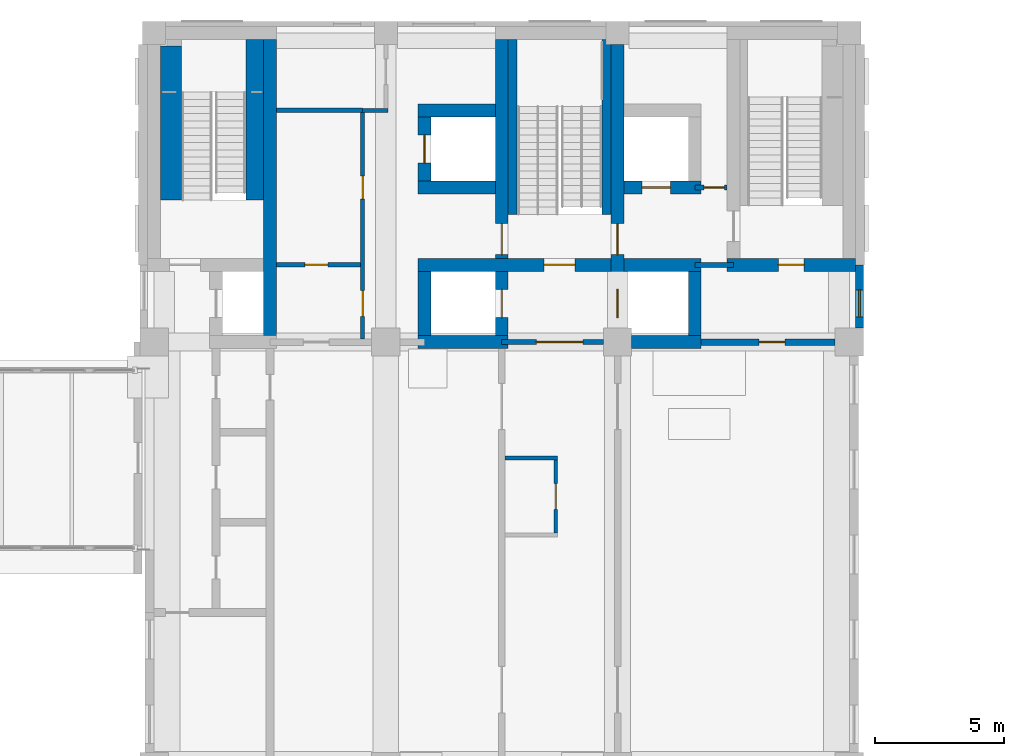
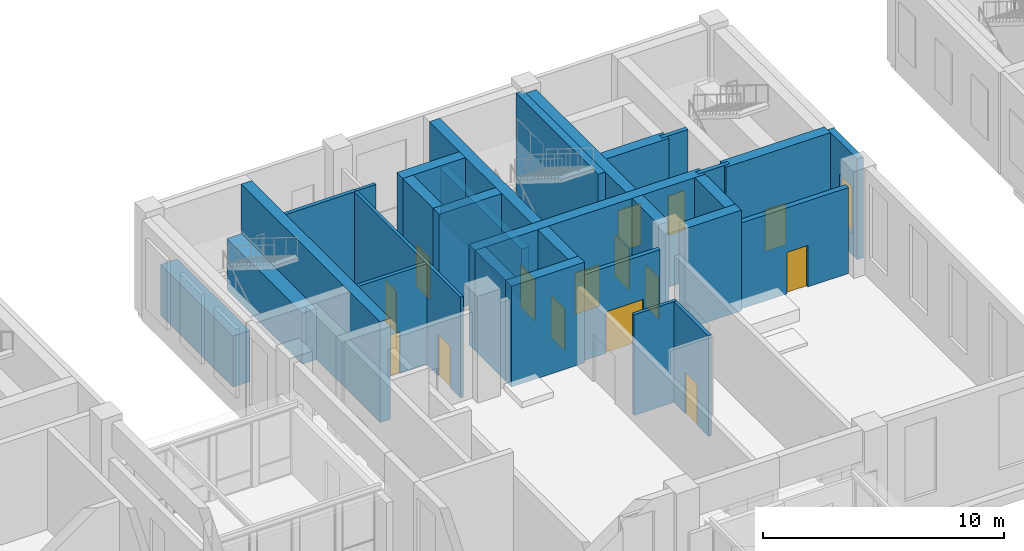
# One storey, part 34 of 52: 28 walls, 15 doors, 1 window, 16 openings.
"""IFC4 building model written with IfcOpenShell, lengths in metres."""

from ifc_helpers import new_model, si_unit, direction, frame, frame_2d, origin, place, context, subcontext, project, spatial, rectangle, extrude, material, layer, layer_set, type_object, element, fill, save


model = new_model("IFC4")

# Units and contexts
model_context = context("Model", 3, precision=1e-05, world=origin(), true_north=direction((0.0, 1.0)))
body_context = subcontext(model_context, "Body", "Model", "MODEL_VIEW")
ifc_project = project(units=[si_unit("LENGTHUNIT", "METRE"), si_unit("AREAUNIT", "SQUARE_METRE"), si_unit("VOLUMEUNIT", "CUBIC_METRE"), si_unit("PLANEANGLEUNIT", "RADIAN"), si_unit("MASSUNIT", "GRAM", prefix="KILO")], contexts=[model_context])

# Site, building, storey
site_placement = place(None, origin())
site = spatial("IfcSite", under=ifc_project, at=site_placement, CompositionType="ELEMENT")
building_placement = place(site_placement, origin())
building = spatial("IfcBuilding", under=site, at=building_placement, Name="Aurelan Courthouse", CompositionType="ELEMENT")
storey_placement = place(building_placement, frame((0.0, 0.0, 6.60009765625)))
storey = spatial("IfcBuildingStorey", under=building, at=storey_placement, Name="L01", CompositionType="ELEMENT", Elevation=6.60009765625)

# Wall, opening, door
ifc_material_1 = material(Name="Gypsum board on metal studs")
ifc_layer_1 = layer(ifc_material_1, 0.175048828125)
ifc_layer_set_1 = layer_set([ifc_layer_1], Name="Gypsum board on metal studs")
wall_type_1 = type_object("IfcWallType", Name="Chambers acoustic partition 175 NOT RATED", PredefinedType="PARTITIONING", material=ifc_layer_set_1)
wall_1_placement = place(storey_placement, frame((40.75, 57.0, 0.0), z_axis=(0.0, 0.0, 1.0), x_axis=(1.0, 0.0, 0.0)))
wall_1 = element("IfcWall", 1, at=wall_1_placement, inside=storey, type_object=wall_type_1, Name="Chambers acoustic partition L01-058", PredefinedType="PARTITIONING", context=body_context, shape_type="SweptSolid", body=[
    extrude(rectangle(XDim=3.27490234375, YDim=0.175048828125, at=frame_2d((1.637451171875, 0.0))), origin(), (0.0, 0.0, 1.0), 5.099853515625),
])
opening_1_placement = place(wall_1_placement, frame((2.0, 0.0, 0.0), z_axis=(0.0, 0.0, 1.0), x_axis=(-1.0, 0.0, 0.0)))
opening_1 = element("IfcOpeningElement", 2, at=opening_1_placement, cuts=wall_1, Name="Opening D-L01-033", PredefinedType="OPENING", context=body_context, shape_type="SweptSolid", body=[
    extrude(rectangle(XDim=0.89990234375, YDim=2.10009765625, at=frame_2d((0.449951171875, 1.050048828125))), frame((0.0, 0.097412109375, 0.0), z_axis=(0.0, -1.0, 0.0), x_axis=(1.0, 0.0, 0.0)), (0.0, 0.0, 1.0), 0.195068359375),
])
ifc_material_2 = material(Name="Timber", Category="wood")
door_type_1 = type_object("IfcDoorType", Name="Single door 900 x 2100 NOT RATED", OperationType="SINGLE_SWING_LEFT", PredefinedType="DOOR", material=ifc_material_2)
door_1_placement = place(opening_1_placement, origin())
door_1 = element("IfcDoor", 3, at=door_1_placement, inside=storey, type_object=door_type_1, Name="Single door D-L01-033", OperationType="SINGLE_SWING_LEFT", OverallHeight=2.10009765625, OverallWidth=0.89990234375, PredefinedType="DOOR", context=body_context, shape_type="SweptSolid", body=[
    extrude(rectangle(XDim=0.89990234375, YDim=2.10009765625, at=frame_2d((0.449951171875, 1.050048828125))), frame((0.0, 0.02490234375, 0.0), z_axis=(0.0, -1.0, 0.0), x_axis=(1.0, 0.0, 0.0)), (0.0, 0.0, 1.0), 0.050048828125),
])
fill(opening_1, door_1)

# Walls
wall_2_placement = place(storey_placement, frame((40.75, 63.0, 0.0), z_axis=(0.0, 0.0, 1.0), x_axis=(1.0, 0.0, 0.0)))
element("IfcWall", 4, at=wall_2_placement, inside=storey, type_object=wall_type_1, Name="Chambers acoustic partition L01-064", PredefinedType="PARTITIONING", context=body_context, shape_type="SweptSolid", body=[
    extrude(rectangle(XDim=3.35009765625, YDim=0.175048828125, at=frame_2d((1.675048828125, 0.0))), origin(), (0.0, 0.0, 1.0), 5.099853515625),
])
ifc_layer_2 = layer(ifc_material_1, 0.14990234375)
ifc_layer_set_2 = layer_set([ifc_layer_2], Name="Gypsum board on metal studs")
wall_type_2 = type_object("IfcWallType", Name="Corridor partition 150 EI 60", PredefinedType="PARTITIONING", material=ifc_layer_set_2)
wall_3_placement = place(storey_placement, frame((49.625, 49.5, 0.0), z_axis=(0.0, 0.0, 1.0), x_axis=(1.0, 0.0, 0.0)))
element("IfcWall", 5, at=wall_3_placement, inside=storey, type_object=wall_type_2, Name="Corridor partition L01-042", PredefinedType="PARTITIONING", context=body_context, shape_type="SweptSolid", body=[
    extrude(rectangle(XDim=2.050048828125, YDim=0.14990234375, at=frame_2d((1.02490234375, 0.0))), origin(), (0.0, 0.0, 1.0), 5.099853515625),
])
wall_4_placement = place(storey_placement, frame((44.10009765625, 63.0, 0.0), z_axis=(0.0, 0.0, 1.0), x_axis=(1.0, 0.0, 0.0)))
element("IfcWall", 6, at=wall_4_placement, inside=storey, type_object=wall_type_2, Name="Corridor partition L01-065", PredefinedType="PARTITIONING", context=body_context, shape_type="SweptSolid", body=[
    extrude(rectangle(XDim=0.974853515625, YDim=0.14990234375, at=frame_2d((0.4873046875, 0.0))), origin(), (0.0, 0.0, 1.0), 5.099853515625),
])

# Wall, openings, doors
wall_5_placement = place(storey_placement, frame((44.10009765625, 54.125, 0.0), z_axis=(0.0, 0.0, 1.0), x_axis=(0.0, 1.0, 0.0)))
wall_5 = element("IfcWall", 7, at=wall_5_placement, inside=storey, type_object=wall_type_2, Name="Corridor partition L01-094", PredefinedType="PARTITIONING", context=body_context, shape_type="SweptSolid", body=[
    extrude(rectangle(XDim=8.800048828125, YDim=0.14990234375, at=frame_2d((4.39990234375, 0.0))), origin(), (0.0, 0.0, 1.0), 5.099853515625),
])
opening_2_placement = place(wall_5_placement, frame((0.875, 0.0, 0.0)))
opening_2 = element("IfcOpeningElement", 8, at=opening_2_placement, cuts=wall_5, Name="Opening D-L01-031", PredefinedType="OPENING", context=body_context, shape_type="SweptSolid", body=[
    extrude(rectangle(XDim=1.0, YDim=2.10009765625, at=frame_2d((0.5, 1.050048828125))), frame((0.0, 0.0849609375, 0.0), z_axis=(0.0, -1.0, 0.0), x_axis=(1.0, 0.0, 0.0)), (0.0, 0.0, 1.0), 0.169921875),
])
opening_3_placement = place(wall_5_placement, frame((5.425048828125, 0.0, 0.0)))
opening_3 = element("IfcOpeningElement", 9, at=opening_3_placement, cuts=wall_5, Name="Opening D-L01-032", PredefinedType="OPENING", context=body_context, shape_type="SweptSolid", body=[
    extrude(rectangle(XDim=0.89990234375, YDim=2.10009765625, at=frame_2d((0.449951171875, 1.050048828125))), frame((0.0, 0.0849609375, 0.0), z_axis=(0.0, -1.0, 0.0), x_axis=(1.0, 0.0, 0.0)), (0.0, 0.0, 1.0), 0.169921875),
])
ifc_material_3 = material(Name="Steel", Category="steel")
door_type_2 = type_object("IfcDoorType", Name="Single door 1000 x 2100 FD60", OperationType="SINGLE_SWING_LEFT", PredefinedType="DOOR", material=ifc_material_3)
door_2_placement = place(opening_2_placement, origin())
door_2 = element("IfcDoor", 10, at=door_2_placement, inside=storey, type_object=door_type_2, Name="Single door D-L01-031", OperationType="SINGLE_SWING_RIGHT", OverallHeight=2.10009765625, OverallWidth=1.0, PredefinedType="DOOR", context=body_context, shape_type="SweptSolid", body=[
    extrude(rectangle(XDim=1.0, YDim=2.10009765625, at=frame_2d((0.5, 1.050048828125))), frame((0.0, 0.02490234375, 0.0), z_axis=(0.0, -1.0, 0.0), x_axis=(1.0, 0.0, 0.0)), (0.0, 0.0, 1.0), 0.050048828125),
])
fill(opening_2, door_2)
door_type_3 = type_object("IfcDoorType", Name="Single door 900 x 2100 FD60", OperationType="SINGLE_SWING_LEFT", PredefinedType="DOOR", material=ifc_material_3)
door_3_placement = place(opening_3_placement, origin())
door_3 = element("IfcDoor", 11, at=door_3_placement, inside=storey, type_object=door_type_3, Name="Single door D-L01-032", OperationType="SINGLE_SWING_LEFT", OverallHeight=2.10009765625, OverallWidth=0.89990234375, PredefinedType="DOOR", context=body_context, shape_type="SweptSolid", body=[
    extrude(rectangle(XDim=0.89990234375, YDim=2.10009765625, at=frame_2d((0.449951171875, 1.050048828125))), frame((0.0, 0.02490234375, 0.0), z_axis=(0.0, -1.0, 0.0), x_axis=(1.0, 0.0, 0.0)), (0.0, 0.0, 1.0), 0.050048828125),
])
fill(opening_3, door_3)

# Wall, opening, door
wall_6_placement = place(storey_placement, frame((51.60009765625, 46.574951171875, 0.0), z_axis=(0.0, 0.0, 1.0), x_axis=(0.0, 1.0, 0.0)))
wall_6 = element("IfcWall", 12, at=wall_6_placement, inside=storey, type_object=wall_type_2, Name="Corridor partition L01-098", PredefinedType="PARTITIONING", context=body_context, shape_type="SweptSolid", body=[
    extrude(rectangle(XDim=2.85009765625, YDim=0.14990234375, at=frame_2d((1.425048828125, 0.0))), origin(), (0.0, 0.0, 1.0), 5.099853515625),
])
opening_4_placement = place(wall_6_placement, frame((0.925048828125, 0.0, 0.0)))
opening_4 = element("IfcOpeningElement", 13, at=opening_4_placement, cuts=wall_6, Name="Opening D-L01-021", PredefinedType="OPENING", context=body_context, shape_type="SweptSolid", body=[
    extrude(rectangle(XDim=1.0, YDim=2.10009765625, at=frame_2d((0.5, 1.050048828125))), frame((0.0, 0.0849609375, 0.0), z_axis=(0.0, -1.0, 0.0), x_axis=(1.0, 0.0, 0.0)), (0.0, 0.0, 1.0), 0.169921875),
])
door_4_placement = place(opening_4_placement, origin())
door_4 = element("IfcDoor", 14, at=door_4_placement, inside=storey, type_object=door_type_2, Name="Single door D-L01-021", OperationType="SINGLE_SWING_RIGHT", OverallHeight=2.10009765625, OverallWidth=1.0, PredefinedType="DOOR", context=body_context, shape_type="SweptSolid", body=[
    extrude(rectangle(XDim=1.0, YDim=2.10009765625, at=frame_2d((0.5, 1.050048828125))), frame((0.0, 0.02490234375, 0.0), z_axis=(0.0, -1.0, 0.0), x_axis=(1.0, 0.0, 0.0)), (0.0, 0.0, 1.0), 0.050048828125),
])
fill(opening_4, door_4)

# Wall, opening, window
ifc_material_4 = material(Name="Granite cladding", Category="masonry")
ifc_layer_3 = layer(ifc_material_4, 0.0849609375, Name="Facing")
ifc_material_5 = material(Name="Ventilated cavity")
ifc_layer_4 = layer(ifc_material_5, 0.02490234375, ventilated=True, Name="Ventilated cavity")
ifc_material_6 = material(Name="Mineral wool insulation")
ifc_layer_5 = layer(ifc_material_6, 0.044921875, Name="Insulation")
ifc_material_7 = material(Name="Concrete C30", Category="concrete")
ifc_layer_6 = layer(ifc_material_7, 0.14501953125, Name="Structure")
ifc_layer_set_3 = layer_set([ifc_layer_3, ifc_layer_4, ifc_layer_5, ifc_layer_6], Name="Concrete C30")
wall_type_3 = type_object("IfcWallType", Name="Courtroom Block granite-faced wall 300", PredefinedType="SOLIDWALL", material=ifc_layer_set_3)
wall_7_placement = place(storey_placement, frame((63.39990234375, 54.550048828125, 0.0), z_axis=(0.0, 0.0, 1.0), x_axis=(0.0, 1.0, 0.0)))
wall_7 = element("IfcWall", 15, at=wall_7_placement, inside=storey, type_object=wall_type_3, Name="Facade wall FW-V2-L01-007", PredefinedType="SOLIDWALL", context=body_context, shape_type="SweptSolid", body=[
    extrude(rectangle(XDim=2.449951171875, YDim=0.300048828125, at=frame_2d((1.22509765625, 0.0))), origin(), (0.0, 0.0, 1.0), 5.099853515625),
])
opening_5_placement = place(wall_7_placement, frame((0.425048828125, 0.0, 1.050048828125)))
opening_5 = element("IfcOpeningElement", 16, at=opening_5_placement, cuts=wall_7, Name="Opening WN-V2-L01-012", PredefinedType="OPENING", context=body_context, shape_type="SweptSolid", body=[
    extrude(rectangle(XDim=1.050048828125, YDim=2.39990234375, at=frame_2d((0.52490234375, 1.199951171875))), frame((0.0, 0.159912109375, 0.0), z_axis=(0.0, -1.0, 0.0), x_axis=(1.0, 0.0, 0.0)), (0.0, 0.0, 1.0), 0.320068359375),
])
ifc_material_8 = material(Name="Bronze-finished aluminium and glass", Category="aluminium")
window_type = type_object("IfcWindowType", Name="Courtroom Block window 1050 x 2400, sill 1050", PartitioningType="SINGLE_PANEL", PredefinedType="WINDOW", material=ifc_material_8)
window_placement = place(opening_5_placement, origin())
window = element("IfcWindow", 17, at=window_placement, inside=storey, type_object=window_type, Name="Window WN-V2-L01-012", OverallHeight=2.39990234375, OverallWidth=1.050048828125, PartitioningType="SINGLE_PANEL", PredefinedType="WINDOW", context=body_context, shape_type="SweptSolid", body=[
    extrude(rectangle(XDim=1.050048828125, YDim=2.39990234375, at=frame_2d((0.52490234375, 1.199951171875))), frame((0.0, 0.030029296875, 0.0), z_axis=(0.0, -1.0, 0.0), x_axis=(1.0, 0.0, 0.0)), (0.0, 0.0, 1.0), 0.06005859375),
])
fill(opening_5, window)

# Wall, opening, door
ifc_material_9 = material(Name="Masonry block", Category="masonry")
ifc_layer_7 = layer(ifc_material_9, 0.25)
ifc_layer_set_4 = layer_set([ifc_layer_7], Name="Masonry block")
wall_type_4 = type_object("IfcWallType", Name="Courtroom wall 250 EI 60", PredefinedType="PARTITIONING", material=ifc_layer_set_4)
wall_8_placement = place(storey_placement, frame((57.0, 54.0, 0.0), z_axis=(0.0, 0.0, 1.0), x_axis=(1.0, 0.0, 0.0)))
wall_8 = element("IfcWall", 18, at=wall_8_placement, inside=storey, type_object=wall_type_4, Name="Courtroom wall L01-050", PredefinedType="PARTITIONING", context=body_context, shape_type="SweptSolid", body=[
    extrude(rectangle(XDim=5.449951171875, YDim=0.25, at=frame_2d((2.72509765625, 0.0))), origin(), (0.0, 0.0, 1.0), 4.349853515625),
])
opening_6_placement = place(wall_8_placement, frame((2.5, 0.0, 0.0)))
opening_6 = element("IfcOpeningElement", 19, at=opening_6_placement, cuts=wall_8, Name="Opening D-L01-037", PredefinedType="OPENING", context=body_context, shape_type="SweptSolid", body=[
    extrude(rectangle(XDim=1.0, YDim=2.10009765625, at=frame_2d((0.5, 1.050048828125))), frame((0.0, 0.135009765625, 0.0), z_axis=(0.0, -1.0, 0.0), x_axis=(1.0, 0.0, 0.0)), (0.0, 0.0, 1.0), 0.27001953125),
])
door_type_4 = type_object("IfcDoorType", Name="Single door 1000 x 2100 FD30", OperationType="SINGLE_SWING_LEFT", PredefinedType="DOOR", material=ifc_material_3)
door_5_placement = place(opening_6_placement, origin())
door_5 = element("IfcDoor", 20, at=door_5_placement, inside=storey, type_object=door_type_4, Name="Single door D-L01-037", OperationType="SINGLE_SWING_LEFT", OverallHeight=2.10009765625, OverallWidth=1.0, PredefinedType="DOOR", context=body_context, shape_type="SweptSolid", body=[
    extrude(rectangle(XDim=1.0, YDim=2.10009765625, at=frame_2d((0.5, 1.050048828125))), frame((0.0, 0.02490234375, 0.0), z_axis=(0.0, -1.0, 0.0), x_axis=(1.0, 0.0, 0.0)), (0.0, 0.0, 1.0), 0.050048828125),
])
fill(opening_6, door_5)

ifc_layer_8 = layer(ifc_material_9, 0.199951171875)
ifc_layer_set_5 = layer_set([ifc_layer_8], Name="Masonry block")
wall_type_5 = type_object("IfcWallType", Name="Lift lobby wall 200 EI 60", PredefinedType="PARTITIONING", material=ifc_layer_set_5)
wall_9_placement = place(storey_placement, frame((49.5, 54.0, 0.0), z_axis=(0.0, 0.0, 1.0), x_axis=(1.0, 0.0, 0.0)))
wall_9 = element("IfcWall", 21, at=wall_9_placement, inside=storey, type_object=wall_type_5, Name="Lift lobby wall L01-049", PredefinedType="PARTITIONING", context=body_context, shape_type="SweptSolid", body=[
    extrude(rectangle(XDim=3.949951171875, YDim=0.199951171875, at=frame_2d((1.97509765625, 0.0))), origin(), (0.0, 0.0, 1.0), 4.349853515625),
])
opening_7_placement = place(wall_9_placement, frame((1.35009765625, 0.0, 0.0)))
opening_7 = element("IfcOpeningElement", 22, at=opening_7_placement, cuts=wall_9, Name="Opening D-L01-020", PredefinedType="OPENING", context=body_context, shape_type="SweptSolid", body=[
    extrude(rectangle(XDim=1.800048828125, YDim=2.10009765625, at=frame_2d((0.89990234375, 1.050048828125))), frame((0.0, 0.10986328125, 0.0), z_axis=(0.0, -1.0, 0.0), x_axis=(1.0, 0.0, 0.0)), (0.0, 0.0, 1.0), 0.219970703125),
])
door_type_5 = type_object("IfcDoorType", Name="Double door 1800 x 2100 FD60", OperationType="DOUBLE_DOOR_SINGLE_SWING", PredefinedType="DOOR", material=ifc_material_3)
door_6_placement = place(opening_7_placement, origin())
door_6 = element("IfcDoor", 23, at=door_6_placement, inside=storey, type_object=door_type_5, Name="Double door D-L01-020", OperationType="DOUBLE_DOOR_SINGLE_SWING", OverallHeight=2.10009765625, OverallWidth=1.800048828125, PredefinedType="DOOR", context=body_context, shape_type="SweptSolid", body=[
    extrude(rectangle(XDim=1.800048828125, YDim=2.10009765625, at=frame_2d((0.89990234375, 1.050048828125))), frame((0.0, 0.02490234375, 0.0), z_axis=(0.0, -1.0, 0.0), x_axis=(1.0, 0.0, 0.0)), (0.0, 0.0, 1.0), 0.050048828125),
])
fill(opening_7, door_6)

# Walls
wall_10_placement = place(storey_placement, frame((57.0, 57.0, 0.0), z_axis=(0.0, 0.0, 1.0), x_axis=(1.0, 0.0, 0.0)))
element("IfcWall", 24, at=wall_10_placement, inside=storey, type_object=wall_type_5, Name="Lift lobby wall L01-059", PredefinedType="PARTITIONING", context=body_context, shape_type="SweptSolid", body=[
    extrude(rectangle(XDim=1.5, YDim=0.199951171875, at=frame_2d((0.75, 0.0))), origin(), (0.0, 0.0, 1.0), 5.099853515625),
])
ifc_material_10 = material(Name="Concrete C50", Category="concrete")
ifc_layer_9 = layer(ifc_material_10, 0.5)
ifc_layer_set_6 = layer_set([ifc_layer_9], Name="Concrete C50")
wall_type_6 = type_object("IfcWallType", Name="RC shear wall 500", PredefinedType="SHEAR", material=ifc_layer_set_6)
wall_11_placement = place(storey_placement, frame((46.25, 54.0, 0.0), z_axis=(0.0, 0.0, 1.0), x_axis=(1.0, 0.0, 0.0)))
element("IfcWall", 25, at=wall_11_placement, inside=storey, type_object=wall_type_6, Name="Core wall SW-L01-039", PredefinedType="SHEAR", context=body_context, shape_type="SweptSolid", body=[
    extrude(rectangle(XDim=3.5, YDim=0.5, at=frame_2d((1.75, 0.0))), origin(), (0.0, 0.0, 1.0), 5.099853515625),
])
wall_12_placement = place(storey_placement, frame((54.550048828125, 54.0, 0.0), z_axis=(0.0, 0.0, 1.0), x_axis=(1.0, 0.0, 0.0)))
element("IfcWall", 26, at=wall_12_placement, inside=storey, type_object=wall_type_6, Name="Core wall SW-L01-040", PredefinedType="SHEAR", context=body_context, shape_type="SweptSolid", body=[
    extrude(rectangle(XDim=2.699951171875, YDim=0.5, at=frame_2d((1.35009765625, 0.0))), origin(), (0.0, 0.0, 1.0), 5.099853515625),
])
wall_13_placement = place(storey_placement, frame((40.5, 54.25, 0.0), z_axis=(0.0, 0.0, 1.0), x_axis=(0.0, 1.0, 0.0)))
element("IfcWall", 27, at=wall_13_placement, inside=storey, type_object=wall_type_6, Name="Core wall SW-L01-042", PredefinedType="SHEAR", context=body_context, shape_type="SweptSolid", body=[
    extrude(rectangle(XDim=11.5, YDim=0.5, at=frame_2d((5.75, 0.0))), origin(), (0.0, 0.0, 1.0), 5.099853515625),
])
wall_14_placement = place(storey_placement, frame((46.5, 54.25, 0.0), z_axis=(0.0, 0.0, 1.0), x_axis=(0.0, 1.0, 0.0)))
element("IfcWall", 28, at=wall_14_placement, inside=storey, type_object=wall_type_6, Name="Core wall SW-L01-043", PredefinedType="SHEAR", context=body_context, shape_type="SweptSolid", body=[
    extrude(rectangle(XDim=2.5, YDim=0.5, at=frame_2d((1.25, 0.0))), origin(), (0.0, 0.0, 1.0), 5.099853515625),
])

# Wall, openings, doors
wall_15_placement = place(storey_placement, frame((49.5, 54.25, 0.0), z_axis=(0.0, 0.0, 1.0), x_axis=(0.0, 1.0, 0.0)))
wall_15 = element("IfcWall", 29, at=wall_15_placement, inside=storey, type_object=wall_type_6, Name="Core wall SW-L01-044", PredefinedType="SHEAR", context=body_context, shape_type="SweptSolid", body=[
    extrude(rectangle(XDim=11.5, YDim=0.5, at=frame_2d((5.75, 0.0))), origin(), (0.0, 0.0, 1.0), 5.099853515625),
])
opening_8_placement = place(wall_15_placement, frame((0.699951171875, 0.0, 0.0)))
opening_8 = element("IfcOpeningElement", 30, at=opening_8_placement, cuts=wall_15, Name="Opening LD-V2-P1-L01", PredefinedType="OPENING", context=body_context, shape_type="SweptSolid", body=[
    extrude(rectangle(XDim=1.10009765625, YDim=2.10009765625, at=frame_2d((0.550048828125, 1.050048828125))), frame((0.0, 0.260009765625, 0.0), z_axis=(0.0, -1.0, 0.0), x_axis=(1.0, 0.0, 0.0)), (0.0, 0.0, 1.0), 0.52001953125),
])
opening_9_placement = place(wall_15_placement, frame((4.349853515625, 0.0, 0.0), z_axis=(0.0, 0.0, 1.0), x_axis=(-1.0, 0.0, 0.0)))
opening_9 = element("IfcOpeningElement", 31, at=opening_9_placement, cuts=wall_15, Name="Opening D-L01-019", PredefinedType="OPENING", context=body_context, shape_type="SweptSolid", body=[
    extrude(rectangle(XDim=1.199951171875, YDim=2.10009765625, at=frame_2d((0.60009765625, 1.050048828125))), frame((0.0, 0.260009765625, 0.0), z_axis=(0.0, -1.0, 0.0), x_axis=(1.0, 0.0, 0.0)), (0.0, 0.0, 1.0), 0.52001953125),
])
door_type_6 = type_object("IfcDoorType", Name="Lift landing door 1100 x 2100 FD90", OperationType="SLIDING_TO_LEFT", PredefinedType="DOOR", material=ifc_material_3)
door_7_placement = place(opening_8_placement, origin())
door_7 = element("IfcDoor", 32, at=door_7_placement, inside=storey, type_object=door_type_6, Name="Lift landing door LD-V2-P1-L01", OperationType="SLIDING_TO_LEFT", OverallHeight=2.10009765625, OverallWidth=1.10009765625, PredefinedType="DOOR", context=body_context, shape_type="SweptSolid", body=[
    extrude(rectangle(XDim=1.10009765625, YDim=2.10009765625, at=frame_2d((0.550048828125, 1.050048828125))), frame((0.0, 0.02490234375, 0.0), z_axis=(0.0, -1.0, 0.0), x_axis=(1.0, 0.0, 0.0)), (0.0, 0.0, 1.0), 0.050048828125),
])
fill(opening_8, door_7)
door_type_7 = type_object("IfcDoorType", Name="Single door 1200 x 2100 FD90", OperationType="SINGLE_SWING_LEFT", PredefinedType="DOOR", material=ifc_material_3)
door_8_placement = place(opening_9_placement, origin())
door_8 = element("IfcDoor", 33, at=door_8_placement, inside=storey, type_object=door_type_7, Name="Single door D-L01-019", OperationType="SINGLE_SWING_RIGHT", OverallHeight=2.10009765625, OverallWidth=1.199951171875, PredefinedType="DOOR", context=body_context, shape_type="SweptSolid", body=[
    extrude(rectangle(XDim=1.199951171875, YDim=2.10009765625, at=frame_2d((0.60009765625, 1.050048828125))), frame((0.0, 0.02490234375, 0.0), z_axis=(0.0, -1.0, 0.0), x_axis=(1.0, 0.0, 0.0)), (0.0, 0.0, 1.0), 0.050048828125),
])
fill(opening_9, door_8)

# Wall
wall_16_placement = place(storey_placement, frame((57.0, 54.25, 0.0), z_axis=(0.0, 0.0, 1.0), x_axis=(0.0, 1.0, 0.0)))
element("IfcWall", 34, at=wall_16_placement, inside=storey, type_object=wall_type_6, Name="Core wall SW-L01-045", PredefinedType="SHEAR", context=body_context, shape_type="SweptSolid", body=[
    extrude(rectangle(XDim=2.5, YDim=0.5, at=frame_2d((1.25, 0.0))), origin(), (0.0, 0.0, 1.0), 5.099853515625),
])

# Wall, openings, doors
wall_17_placement = place(storey_placement, frame((54.0, 54.550048828125, 0.0), z_axis=(0.0, 0.0, 1.0), x_axis=(0.0, 1.0, 0.0)))
wall_17 = element("IfcWall", 35, at=wall_17_placement, inside=storey, type_object=wall_type_6, Name="Core wall SW-L01-046", PredefinedType="SHEAR", context=body_context, shape_type="SweptSolid", body=[
    extrude(rectangle(XDim=11.0, YDim=0.5, at=frame_2d((5.5, 0.0))), origin(), (0.0, 0.0, 1.0), 5.099853515625),
])
opening_10_placement = place(wall_17_placement, frame((0.39990234375, 0.0, 0.0)))
opening_10 = element("IfcOpeningElement", 36, at=opening_10_placement, cuts=wall_17, Name="Opening LD-V2-P2-L01", PredefinedType="OPENING", context=body_context, shape_type="SweptSolid", body=[
    extrude(rectangle(XDim=1.10009765625, YDim=2.10009765625, at=frame_2d((0.550048828125, 1.050048828125))), frame((0.0, 0.260009765625, 0.0), z_axis=(0.0, -1.0, 0.0), x_axis=(1.0, 0.0, 0.0)), (0.0, 0.0, 1.0), 0.52001953125),
])
opening_11_placement = place(wall_17_placement, frame((2.85009765625, 0.0, 0.0)))
opening_11 = element("IfcOpeningElement", 37, at=opening_11_placement, cuts=wall_17, Name="Opening D-L01-015", PredefinedType="OPENING", context=body_context, shape_type="SweptSolid", body=[
    extrude(rectangle(XDim=1.199951171875, YDim=2.10009765625, at=frame_2d((0.60009765625, 1.050048828125))), frame((0.0, 0.260009765625, 0.0), z_axis=(0.0, -1.0, 0.0), x_axis=(1.0, 0.0, 0.0)), (0.0, 0.0, 1.0), 0.52001953125),
])
door_9_placement = place(opening_10_placement, origin())
door_9 = element("IfcDoor", 38, at=door_9_placement, inside=storey, type_object=door_type_6, Name="Lift landing door LD-V2-P2-L01", OperationType="SLIDING_TO_LEFT", OverallHeight=2.10009765625, OverallWidth=1.10009765625, PredefinedType="DOOR", context=body_context, shape_type="SweptSolid", body=[
    extrude(rectangle(XDim=1.10009765625, YDim=2.10009765625, at=frame_2d((0.550048828125, 1.050048828125))), frame((0.0, 0.02490234375, 0.0), z_axis=(0.0, -1.0, 0.0), x_axis=(1.0, 0.0, 0.0)), (0.0, 0.0, 1.0), 0.050048828125),
])
fill(opening_10, door_9)
door_10_placement = place(opening_11_placement, origin())
door_10 = element("IfcDoor", 39, at=door_10_placement, inside=storey, type_object=door_type_7, Name="Single door D-L01-015", OperationType="SINGLE_SWING_LEFT", OverallHeight=2.10009765625, OverallWidth=1.199951171875, PredefinedType="DOOR", context=body_context, shape_type="SweptSolid", body=[
    extrude(rectangle(XDim=1.199951171875, YDim=2.10009765625, at=frame_2d((0.60009765625, 1.050048828125))), frame((0.0, 0.02490234375, 0.0), z_axis=(0.0, -1.0, 0.0), x_axis=(1.0, 0.0, 0.0)), (0.0, 0.0, 1.0), 0.050048828125),
])
fill(opening_11, door_10)

# Wall, opening, door
wall_18_placement = place(storey_placement, frame((46.25, 57.0, 0.0), z_axis=(0.0, 0.0, 1.0), x_axis=(1.0, 0.0, 0.0)))
wall_18 = element("IfcWall", 40, at=wall_18_placement, inside=storey, type_object=wall_type_6, Name="Core wall SW-L01-050", PredefinedType="SHEAR", context=body_context, shape_type="SweptSolid", body=[
    extrude(rectangle(XDim=11.0, YDim=0.5, at=frame_2d((5.5, 0.0))), origin(), (0.0, 0.0, 1.0), 5.099853515625),
])
opening_12_placement = place(wall_18_placement, frame((4.89990234375, 0.0, 0.0)))
opening_12 = element("IfcOpeningElement", 41, at=opening_12_placement, cuts=wall_18, Name="Opening D-L01-013", PredefinedType="OPENING", context=body_context, shape_type="SweptSolid", body=[
    extrude(rectangle(XDim=1.199951171875, YDim=2.10009765625, at=frame_2d((0.60009765625, 1.050048828125))), frame((0.0, 0.260009765625, 0.0), z_axis=(0.0, -1.0, 0.0), x_axis=(1.0, 0.0, 0.0)), (0.0, 0.0, 1.0), 0.52001953125),
])
door_11_placement = place(opening_12_placement, origin())
door_11 = element("IfcDoor", 42, at=door_11_placement, inside=storey, type_object=door_type_7, Name="Single door D-L01-013", OperationType="SINGLE_SWING_RIGHT", OverallHeight=2.10009765625, OverallWidth=1.199951171875, PredefinedType="DOOR", context=body_context, shape_type="SweptSolid", body=[
    extrude(rectangle(XDim=1.199951171875, YDim=2.10009765625, at=frame_2d((0.60009765625, 1.050048828125))), frame((0.0, 0.02490234375, 0.0), z_axis=(0.0, -1.0, 0.0), x_axis=(1.0, 0.0, 0.0)), (0.0, 0.0, 1.0), 0.050048828125),
])
fill(opening_12, door_11)

wall_19_placement = place(storey_placement, frame((58.25, 57.0, 0.0), z_axis=(0.0, 0.0, 1.0), x_axis=(1.0, 0.0, 0.0)))
wall_19 = element("IfcWall", 43, at=wall_19_placement, inside=storey, type_object=wall_type_6, Name="Core wall SW-L01-051", PredefinedType="SHEAR", context=body_context, shape_type="SweptSolid", body=[
    extrude(rectangle(XDim=5.0, YDim=0.5, at=frame_2d((2.5, 0.0))), origin(), (0.0, 0.0, 1.0), 5.099853515625),
])
opening_13_placement = place(wall_19_placement, frame((2.0, 0.0, 0.0)))
opening_13 = element("IfcOpeningElement", 44, at=opening_13_placement, cuts=wall_19, Name="Opening D-L01-036", PredefinedType="OPENING", context=body_context, shape_type="SweptSolid", body=[
    extrude(rectangle(XDim=1.0, YDim=2.10009765625, at=frame_2d((0.5, 1.050048828125))), frame((0.0, 0.260009765625, 0.0), z_axis=(0.0, -1.0, 0.0), x_axis=(1.0, 0.0, 0.0)), (0.0, 0.0, 1.0), 0.52001953125),
])
door_type_8 = type_object("IfcDoorType", Name="Single door 1000 x 2100 FD90", OperationType="SINGLE_SWING_LEFT", PredefinedType="DOOR", material=ifc_material_3)
door_12_placement = place(opening_13_placement, origin())
door_12 = element("IfcDoor", 45, at=door_12_placement, inside=storey, type_object=door_type_8, Name="Single door D-L01-036", OperationType="SINGLE_SWING_LEFT", OverallHeight=2.10009765625, OverallWidth=1.0, PredefinedType="DOOR", context=body_context, shape_type="SweptSolid", body=[
    extrude(rectangle(XDim=1.0, YDim=2.10009765625, at=frame_2d((0.5, 1.050048828125))), frame((0.0, 0.02490234375, 0.0), z_axis=(0.0, -1.0, 0.0), x_axis=(1.0, 0.0, 0.0)), (0.0, 0.0, 1.0), 0.050048828125),
])
fill(opening_13, door_12)

# Wall
wall_20_placement = place(storey_placement, frame((46.25, 60.0, 0.0), z_axis=(0.0, 0.0, 1.0), x_axis=(1.0, 0.0, 0.0)))
element("IfcWall", 46, at=wall_20_placement, inside=storey, type_object=wall_type_6, Name="Core wall SW-L01-069", PredefinedType="SHEAR", context=body_context, shape_type="SweptSolid", body=[
    extrude(rectangle(XDim=3.0, YDim=0.5, at=frame_2d((1.5, 0.0))), origin(), (0.0, 0.0, 1.0), 5.099853515625),
])

# Wall, opening, door
wall_21_placement = place(storey_placement, frame((54.25, 60.0, 0.0), z_axis=(0.0, 0.0, 1.0), x_axis=(1.0, 0.0, 0.0)))
wall_21 = element("IfcWall", 47, at=wall_21_placement, inside=storey, type_object=wall_type_6, Name="Core wall SW-L01-070", PredefinedType="SHEAR", context=body_context, shape_type="SweptSolid", body=[
    extrude(rectangle(XDim=3.0, YDim=0.5, at=frame_2d((1.5, 0.0))), origin(), (0.0, 0.0, 1.0), 5.099853515625),
])
opening_14_placement = place(wall_21_placement, frame((0.699951171875, 0.0, 0.0)))
opening_14 = element("IfcOpeningElement", 48, at=opening_14_placement, cuts=wall_21, Name="Opening LD-V2-F1-L01", PredefinedType="OPENING", context=body_context, shape_type="SweptSolid", body=[
    extrude(rectangle(XDim=1.10009765625, YDim=2.10009765625, at=frame_2d((0.550048828125, 1.050048828125))), frame((0.0, 0.260009765625, 0.0), z_axis=(0.0, -1.0, 0.0), x_axis=(1.0, 0.0, 0.0)), (0.0, 0.0, 1.0), 0.52001953125),
])
door_13_placement = place(opening_14_placement, origin())
door_13 = element("IfcDoor", 49, at=door_13_placement, inside=storey, type_object=door_type_6, Name="Lift landing door LD-V2-F1-L01", OperationType="SLIDING_TO_LEFT", OverallHeight=2.10009765625, OverallWidth=1.10009765625, PredefinedType="DOOR", context=body_context, shape_type="SweptSolid", body=[
    extrude(rectangle(XDim=1.10009765625, YDim=2.10009765625, at=frame_2d((0.550048828125, 1.050048828125))), frame((0.0, 0.02490234375, 0.0), z_axis=(0.0, -1.0, 0.0), x_axis=(1.0, 0.0, 0.0)), (0.0, 0.0, 1.0), 0.050048828125),
])
fill(opening_14, door_13)

wall_22_placement = place(storey_placement, frame((46.5, 60.25, 0.0), z_axis=(0.0, 0.0, 1.0), x_axis=(0.0, 1.0, 0.0)))
wall_22 = element("IfcWall", 50, at=wall_22_placement, inside=storey, type_object=wall_type_6, Name="Core wall SW-L01-074", PredefinedType="SHEAR", context=body_context, shape_type="SweptSolid", body=[
    extrude(rectangle(XDim=2.5, YDim=0.5, at=frame_2d((1.25, 0.0))), origin(), (0.0, 0.0, 1.0), 5.099853515625),
])
opening_15_placement = place(wall_22_placement, frame((0.699951171875, 0.0, 0.0)))
opening_15 = element("IfcOpeningElement", 51, at=opening_15_placement, cuts=wall_22, Name="Opening LD-V2-J1-L01", PredefinedType="OPENING", context=body_context, shape_type="SweptSolid", body=[
    extrude(rectangle(XDim=1.10009765625, YDim=2.10009765625, at=frame_2d((0.550048828125, 1.050048828125))), frame((0.0, 0.260009765625, 0.0), z_axis=(0.0, -1.0, 0.0), x_axis=(1.0, 0.0, 0.0)), (0.0, 0.0, 1.0), 0.52001953125),
])
door_14_placement = place(opening_15_placement, origin())
door_14 = element("IfcDoor", 52, at=door_14_placement, inside=storey, type_object=door_type_6, Name="Lift landing door LD-V2-J1-L01", OperationType="SLIDING_TO_LEFT", OverallHeight=2.10009765625, OverallWidth=1.10009765625, PredefinedType="DOOR", context=body_context, shape_type="SweptSolid", body=[
    extrude(rectangle(XDim=1.10009765625, YDim=2.10009765625, at=frame_2d((0.550048828125, 1.050048828125))), frame((0.0, 0.02490234375, 0.0), z_axis=(0.0, -1.0, 0.0), x_axis=(1.0, 0.0, 0.0)), (0.0, 0.0, 1.0), 0.050048828125),
])
fill(opening_15, door_14)

# Wall
wall_23_placement = place(storey_placement, frame((46.25, 63.0, 0.0), z_axis=(0.0, 0.0, 1.0), x_axis=(1.0, 0.0, 0.0)))
element("IfcWall", 53, at=wall_23_placement, inside=storey, type_object=wall_type_6, Name="Core wall SW-L01-079", PredefinedType="SHEAR", context=body_context, shape_type="SweptSolid", body=[
    extrude(rectangle(XDim=3.0, YDim=0.5, at=frame_2d((1.5, 0.0))), origin(), (0.0, 0.0, 1.0), 5.099853515625),
])

# Wall, opening, door
ifc_layer_10 = layer(ifc_material_7, 0.199951171875)
ifc_layer_set_7 = layer_set([ifc_layer_10], Name="Concrete C30")
wall_type_7 = type_object("IfcWallType", Name="Shaft wall 200 EI 120 load-bearing", PredefinedType="SHEAR", material=ifc_layer_set_7)
wall_24_placement = place(storey_placement, frame((57.0, 60.0, 0.0), z_axis=(0.0, 0.0, 1.0), x_axis=(1.0, 0.0, 0.0)))
wall_24 = element("IfcWall", 54, at=wall_24_placement, inside=storey, type_object=wall_type_7, Name="Shaft wall L01-063", PredefinedType="SHEAR", context=body_context, shape_type="SweptSolid", body=[
    extrude(rectangle(XDim=1.25, YDim=0.199951171875, at=frame_2d((0.625, 0.0))), origin(), (0.0, 0.0, 1.0), 5.099853515625),
])
opening_16_placement = place(wall_24_placement, frame((1.150146484375, 0.0, 0.0), z_axis=(0.0, 0.0, 1.0), x_axis=(-1.0, 0.0, 0.0)))
opening_16 = element("IfcOpeningElement", 55, at=opening_16_placement, cuts=wall_24, Name="Opening D-L01-017", PredefinedType="OPENING", context=body_context, shape_type="SweptSolid", body=[
    extrude(rectangle(XDim=0.800048828125, YDim=2.0, at=frame_2d((0.39990234375, 1.0))), frame((0.0, 0.10986328125, 0.0), z_axis=(0.0, -1.0, 0.0), x_axis=(1.0, 0.0, 0.0)), (0.0, 0.0, 1.0), 0.219970703125),
])
door_type_9 = type_object("IfcDoorType", Name="Single door 800 x 2000 FD90", OperationType="SINGLE_SWING_LEFT", PredefinedType="DOOR", material=ifc_material_3)
door_15_placement = place(opening_16_placement, origin())
door_15 = element("IfcDoor", 56, at=door_15_placement, inside=storey, type_object=door_type_9, Name="Single door D-L01-017", OperationType="SINGLE_SWING_LEFT", OverallHeight=2.0, OverallWidth=0.800048828125, PredefinedType="DOOR", context=body_context, shape_type="SweptSolid", body=[
    extrude(rectangle(XDim=0.800048828125, YDim=2.0, at=frame_2d((0.39990234375, 1.0))), frame((0.0, 0.02490234375, 0.0), z_axis=(0.0, -1.0, 0.0), x_axis=(1.0, 0.0, 0.0)), (0.0, 0.0, 1.0), 0.050048828125),
])
fill(opening_16, door_15)

# Walls
ifc_layer_11 = layer(ifc_material_7, 0.35009765625)
ifc_layer_set_8 = layer_set([ifc_layer_11], Name="Concrete C30")
wall_type_8 = type_object("IfcWallType", Name="Stair well wall 350 EI 120 load-bearing", PredefinedType="SHEAR", material=ifc_layer_set_8)
wall_25_placement = place(storey_placement, frame((49.925048828125, 58.9599609375, 0.0), z_axis=(0.0, 0.0, 1.0), x_axis=(0.0, 1.0, 0.0)))
element("IfcWall", 57, at=wall_25_placement, inside=storey, type_object=wall_type_8, Name="Stair well wall ST-2A-L01 A", PredefinedType="SHEAR", context=body_context, shape_type="SweptSolid", body=[
    extrude(rectangle(XDim=6.7900390625, YDim=0.35009765625, at=frame_2d((3.39501953125, 0.0))), origin(), (0.0, 0.0, 1.0), 2.5869140625),
])
wall_26_placement = place(storey_placement, frame((53.574951171875, 58.9599609375, 0.0), z_axis=(0.0, 0.0, 1.0), x_axis=(0.0, 1.0, 0.0)))
element("IfcWall", 58, at=wall_26_placement, inside=storey, type_object=wall_type_8, Name="Stair well wall ST-2A-L01 B", PredefinedType="SHEAR", context=body_context, shape_type="SweptSolid", body=[
    extrude(rectangle(XDim=6.7900390625, YDim=0.35009765625, at=frame_2d((3.39501953125, 0.0))), origin(), (0.0, 0.0, 1.0), 5.099853515625),
])
ifc_layer_12 = layer(ifc_material_7, 0.68994140625)
ifc_layer_set_9 = layer_set([ifc_layer_12], Name="Concrete C30")
wall_type_9 = type_object("IfcWallType", Name="Stair well wall 690 EI 120 load-bearing", PredefinedType="SHEAR", material=ifc_layer_set_9)
wall_27_placement = place(storey_placement, frame((39.905029296875, 59.510009765625, 0.0), z_axis=(0.0, 0.0, 1.0), x_axis=(0.0, 1.0, 0.0)))
element("IfcWall", 59, at=wall_27_placement, inside=storey, type_object=wall_type_9, Name="Stair well wall CS-2-L01 B", PredefinedType="SHEAR", context=body_context, shape_type="SweptSolid", body=[
    extrude(rectangle(XDim=6.239990234375, YDim=0.68994140625, at=frame_2d((3.1201171875, 0.0))), origin(), (0.0, 0.0, 1.0), 2.5869140625),
])
ifc_layer_13 = layer(ifc_material_7, 0.81005859375)
ifc_layer_set_10 = layer_set([ifc_layer_13], Name="Concrete C30")
wall_type_10 = type_object("IfcWallType", Name="Stair well wall 810 EI 120 load-bearing", PredefinedType="SHEAR", material=ifc_layer_set_10)
wall_28_placement = place(storey_placement, frame((36.655029296875, 59.510009765625, 0.0), z_axis=(0.0, 0.0, 1.0), x_axis=(0.0, 1.0, 0.0)))
element("IfcWall", 60, at=wall_28_placement, inside=storey, type_object=wall_type_10, Name="Stair well wall CS-2-L01 A", PredefinedType="SHEAR", context=body_context, shape_type="SweptSolid", body=[
    extrude(rectangle(XDim=5.989990234375, YDim=0.81005859375, at=frame_2d((2.9951171875, 0.0))), origin(), (0.0, 0.0, 1.0), 2.5869140625),
])

save(model, "model.ifc")
